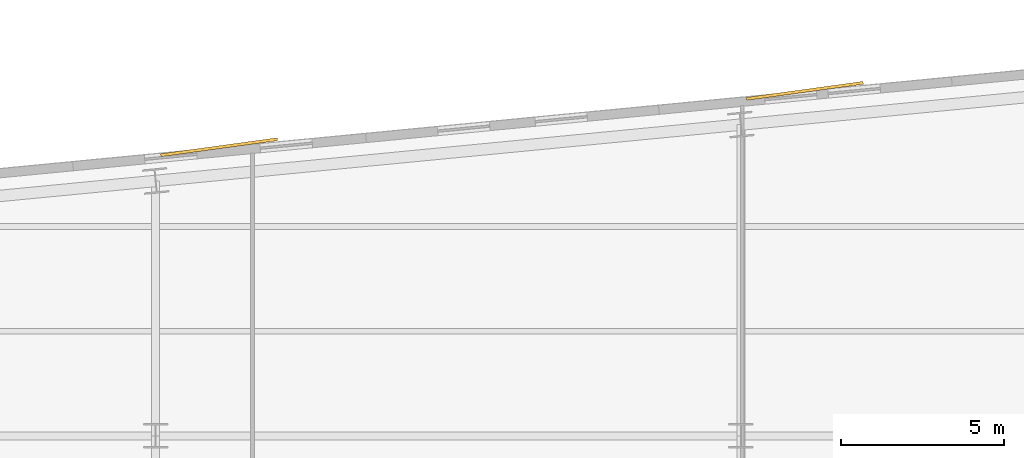
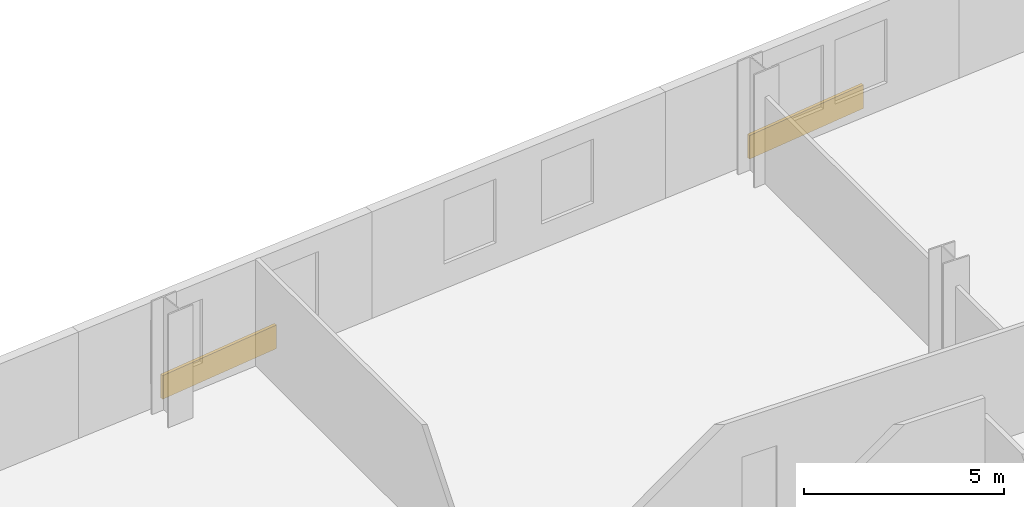
# One storey, part 10 of 10: 2 coverings.
"""IFC4 building model written with IfcOpenShell, lengths in metres."""

from ifc_helpers import new_model, si_unit, direction, frame, origin, origin_2d, place, context, subcontext, project, spatial, rectangle, extrude, material, layer, layer_set, type_object, element, save


model = new_model("IFC4")

# Units and contexts
model_context = context("Model", 3, precision=1e-05, world=origin(), true_north=direction((0.0, 1.0)))
body_context = subcontext(model_context, "Body", "Model", "MODEL_VIEW")
ifc_project = project(units=[si_unit("LENGTHUNIT", "METRE"), si_unit("AREAUNIT", "SQUARE_METRE"), si_unit("VOLUMEUNIT", "CUBIC_METRE"), si_unit("PLANEANGLEUNIT", "RADIAN"), si_unit("MASSUNIT", "GRAM", prefix="KILO")], contexts=[model_context])

# Site, building, storey
site_placement = place(None, origin())
site = spatial("IfcSite", under=ifc_project, at=site_placement, CompositionType="ELEMENT")
building_placement = place(site_placement, origin())
building = spatial("IfcBuilding", under=site, at=building_placement, Name="Velakula Bourse", CompositionType="ELEMENT")
storey_placement = place(building_placement, frame((0.0, 0.0, 84.550048828125)))
storey = spatial("IfcBuildingStorey", under=building, at=storey_placement, Name="L22", CompositionType="ELEMENT", Elevation=84.550048828125)

# Coverings
ifc_material = material(Name="Buff kilned clay facing brick masonry", Category="masonry")
ifc_layer = layer(ifc_material, 0.074951171875, Name="Buff kilned clay facing brick masonry", Category="masonry")
ifc_layer_set = layer_set([ifc_layer], Name="Buff kilned clay facing brick masonry")
covering_type = type_object("IfcCoveringType", Name="COV-BRK-SPN-75", PredefinedType="CLADDING", material=ifc_layer_set)
for number, where, z_axis, x_axis, name in (
    (1, (-7.0087890625, 23.428955078125, 0.0), (0.0, 0.0, 1.0), (0.990629029058, 0.136580111242, 0.0), "L22 Folded Brick Facade Cladding Panel N-B2"),
    (2, (10.908447265625, 25.154052734375, 0.0), (0.0, 0.0, 1.0), (0.990629029058, 0.136580111242, 0.0), "L22 Folded Brick Facade Cladding Panel N-B4"),
):
    element("IfcCovering", number, at=place(storey_placement, frame(where, z_axis=z_axis, x_axis=x_axis)), inside=storey, type_object=covering_type, Name=name, PredefinedType="CLADDING", context=body_context, shape_type="SweptSolid", body=[
        extrude(rectangle(XDim=3.60009765625, YDim=0.090087890625, at=origin_2d()), origin(), (0.0, 0.0, 1.0), 0.719970703125),
    ])

save(model, "model.ifc")
